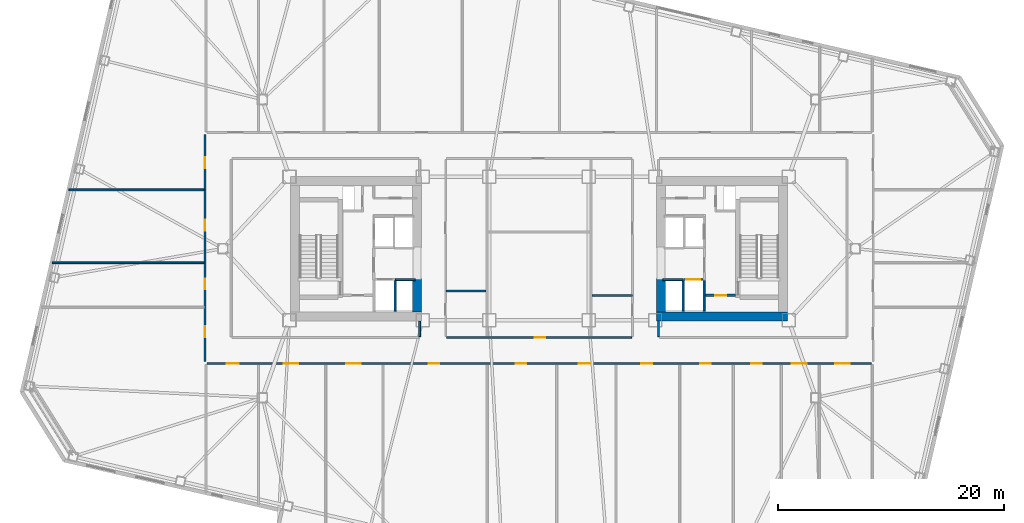
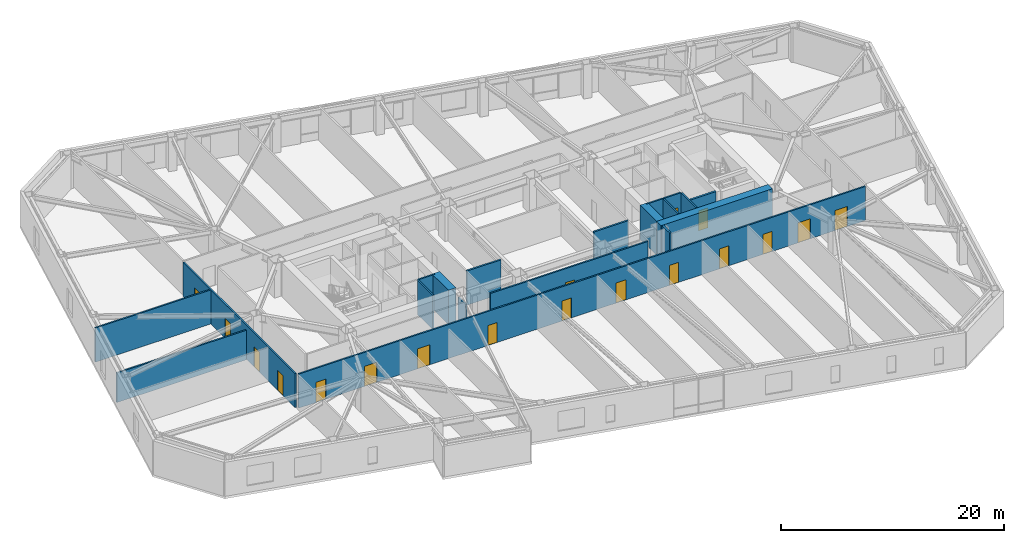
# One storey, part 9 of 18: 19 walls, 18 doors, 18 openings.
"""IFC4 building model written with IfcOpenShell, lengths in metres."""

from ifc_helpers import new_model, si_unit, direction, frame, frame_2d, origin, place, context, subcontext, project, spatial, rectangle, extrude, material, layer, layer_set, type_object, element, fill, save


model = new_model("IFC4")

# Units and contexts
model_context = context("Model", 3, precision=1e-05, world=origin(), true_north=direction((0.0, 1.0)))
body_context = subcontext(model_context, "Body", "Model", "MODEL_VIEW")
ifc_project = project(units=[si_unit("LENGTHUNIT", "METRE"), si_unit("AREAUNIT", "SQUARE_METRE"), si_unit("VOLUMEUNIT", "CUBIC_METRE"), si_unit("PLANEANGLEUNIT", "RADIAN"), si_unit("MASSUNIT", "GRAM", prefix="KILO")], contexts=[model_context])

# Site, building, storey
site_placement = place(None, origin())
site = spatial("IfcSite", under=ifc_project, at=site_placement, CompositionType="ELEMENT")
building_placement = place(site_placement, origin())
building = spatial("IfcBuilding", under=site, at=building_placement, Name="Tavrogorsk Clinical Tower", CompositionType="ELEMENT")
storey_placement = place(building_placement, frame((0.0, 0.0, 51.39990234375)))
storey = spatial("IfcBuildingStorey", under=building, at=storey_placement, Name="L10", CompositionType="ELEMENT", Elevation=51.39990234375)

# Wall, opening, door
ifc_material_1 = material(Name="Concrete B60", Category="concrete")
ifc_layer_1 = layer(ifc_material_1, 0.199951171875)
ifc_layer_set_1 = layer_set([ifc_layer_1], Name="Concrete B60")
wall_type_1 = type_object("IfcWallType", Name="CoreFireWall_200", PredefinedType="SOLIDWALL", material=ifc_layer_set_1)
wall_1_placement = place(storey_placement, frame((14.719970703125, -4.139892578125, 0.0), z_axis=(0.0, 0.0, 1.0), x_axis=(1.0, 0.0, 0.0)))
wall_1 = element("IfcWall", 1, at=wall_1_placement, inside=storey, type_object=wall_type_1, Name="L10 Core East South Core Room Fire Wall", PredefinedType="SOLIDWALL", context=body_context, shape_type="SweptSolid", body=[
    extrude(rectangle(XDim=2.659912109375, YDim=0.199951171875, at=frame_2d((1.330078125, 0.0))), origin(), (0.0, 0.0, 1.0), 3.739990234375),
])
opening_1_placement = place(wall_1_placement, frame((0.8798828125, 0.0, 0.0)))
opening_1 = element("IfcOpeningElement", 2, at=opening_1_placement, cuts=wall_1, Name="Opening ID-02", PredefinedType="OPENING", context=body_context, shape_type="SweptSolid", body=[
    extrude(rectangle(XDim=0.949951171875, YDim=2.199951171875, at=frame_2d((0.47509765625, 1.10009765625))), frame((0.0, 0.10986328125, 0.0), z_axis=(0.0, -1.0, 0.0), x_axis=(1.0, 0.0, 0.0)), (0.0, 0.0, 1.0), 0.219970703125),
])
ifc_material_2 = material(Name="Laminated timber leaf on aluminium frame", Category="wood")
door_type_1 = type_object("IfcDoorType", Name="InteriorDoor_ID02_950", OperationType="NOTDEFINED", PredefinedType="DOOR", material=ifc_material_2)
door_1_placement = place(opening_1_placement, origin())
door_1 = element("IfcDoor", 3, at=door_1_placement, inside=storey, type_object=door_type_1, Name="L10 Core East South Core Room Door", OperationType="SINGLE_SWING_RIGHT", OverallHeight=2.199951171875, OverallWidth=0.949951171875, PredefinedType="DOOR", context=body_context, shape_type="SweptSolid", body=[
    extrude(rectangle(XDim=0.949951171875, YDim=2.199951171875, at=frame_2d((0.47509765625, 1.10009765625))), frame((0.0, 0.02490234375, 0.0), z_axis=(0.0, -1.0, 0.0), x_axis=(1.0, 0.0, 0.0)), (0.0, 0.0, 1.0), 0.050048828125),
])
fill(opening_1, door_1)

# Wall, openings, doors
ifc_material_3 = material(Name="Lightweight concrete blockwork B15", Category="masonry")
ifc_layer_2 = layer(ifc_material_3, 0.159912109375)
ifc_layer_set_2 = layer_set([ifc_layer_2], Name="Lightweight concrete blockwork B15")
wall_type_2 = type_object("IfcWallType", Name="PartitionWall_160", PredefinedType="PARTITIONING", material=ifc_layer_set_2)
wall_2_placement = place(storey_placement, frame((-29.580078125, -10.014892578125, 0.0), z_axis=(0.0, 0.0, 1.0), x_axis=(0.0, 1.0, 0.0)))
wall_2 = element("IfcWall", 4, at=wall_2_placement, inside=storey, type_object=wall_type_2, Name="L10 Corridor Partition 01", PredefinedType="PARTITIONING", context=body_context, shape_type="SweptSolid", body=[
    extrude(rectangle(XDim=20.1298828125, YDim=0.159912109375, at=frame_2d((10.06494140625, 0.0))), origin(), (0.0, 0.0, 1.0), 3.739990234375),
])
opening_2_placement = place(wall_2_placement, frame((2.169189453125, 0.0, 0.0)))
opening_2 = element("IfcOpeningElement", 5, at=opening_2_placement, cuts=wall_2, Name="Opening ID-02", PredefinedType="OPENING", context=body_context, shape_type="SweptSolid", body=[
    extrude(rectangle(XDim=0.949951171875, YDim=2.199951171875, at=frame_2d((0.47509765625, 1.10009765625))), frame((0.0, 0.08984375, 0.0), z_axis=(0.0, -1.0, 0.0), x_axis=(1.0, 0.0, 0.0)), (0.0, 0.0, 1.0), 0.179931640625),
])
opening_3_placement = place(wall_2_placement, frame((6.39990234375, 0.0, 0.0)))
opening_3 = element("IfcOpeningElement", 6, at=opening_3_placement, cuts=wall_2, Name="Opening ID-02", PredefinedType="OPENING", context=body_context, shape_type="SweptSolid", body=[
    extrude(rectangle(XDim=0.949951171875, YDim=2.199951171875, at=frame_2d((0.47509765625, 1.10009765625))), frame((0.0, 0.08984375, 0.0), z_axis=(0.0, -1.0, 0.0), x_axis=(1.0, 0.0, 0.0)), (0.0, 0.0, 1.0), 0.179931640625),
])
opening_4_placement = place(wall_2_placement, frame((11.60009765625, 0.0, 0.0)))
opening_4 = element("IfcOpeningElement", 7, at=opening_4_placement, cuts=wall_2, Name="Opening ID-02", PredefinedType="OPENING", context=body_context, shape_type="SweptSolid", body=[
    extrude(rectangle(XDim=0.949951171875, YDim=2.199951171875, at=frame_2d((0.47509765625, 1.10009765625))), frame((0.0, 0.08984375, 0.0), z_axis=(0.0, -1.0, 0.0), x_axis=(1.0, 0.0, 0.0)), (0.0, 0.0, 1.0), 0.179931640625),
])
opening_5_placement = place(wall_2_placement, frame((17.130859375, 0.0, 0.0)))
opening_5 = element("IfcOpeningElement", 8, at=opening_5_placement, cuts=wall_2, Name="Opening ID-02", PredefinedType="OPENING", context=body_context, shape_type="SweptSolid", body=[
    extrude(rectangle(XDim=0.949951171875, YDim=2.199951171875, at=frame_2d((0.47509765625, 1.10009765625))), frame((0.0, 0.08984375, 0.0), z_axis=(0.0, -1.0, 0.0), x_axis=(1.0, 0.0, 0.0)), (0.0, 0.0, 1.0), 0.179931640625),
])
door_2_placement = place(opening_2_placement, origin())
door_2 = element("IfcDoor", 9, at=door_2_placement, inside=storey, type_object=door_type_1, Name="L10 W Solarium Day Room & Lounge 1 Door", OperationType="SINGLE_SWING_LEFT", OverallHeight=2.199951171875, OverallWidth=0.949951171875, PredefinedType="DOOR", context=body_context, shape_type="SweptSolid", body=[
    extrude(rectangle(XDim=0.949951171875, YDim=2.199951171875, at=frame_2d((0.47509765625, 1.10009765625))), frame((0.0, 0.02490234375, 0.0), z_axis=(0.0, -1.0, 0.0), x_axis=(1.0, 0.0, 0.0)), (0.0, 0.0, 1.0), 0.050048828125),
])
fill(opening_2, door_2)
door_3_placement = place(opening_3_placement, origin())
door_3 = element("IfcDoor", 10, at=door_3_placement, inside=storey, type_object=door_type_1, Name="L10 W Rehabilitation Therapy Suite 2 Door", OperationType="SINGLE_SWING_RIGHT", OverallHeight=2.199951171875, OverallWidth=0.949951171875, PredefinedType="DOOR", context=body_context, shape_type="SweptSolid", body=[
    extrude(rectangle(XDim=0.949951171875, YDim=2.199951171875, at=frame_2d((0.47509765625, 1.10009765625))), frame((0.0, 0.02490234375, 0.0), z_axis=(0.0, -1.0, 0.0), x_axis=(1.0, 0.0, 0.0)), (0.0, 0.0, 1.0), 0.050048828125),
])
fill(opening_3, door_3)
door_4_placement = place(opening_4_placement, origin())
door_4 = element("IfcDoor", 11, at=door_4_placement, inside=storey, type_object=door_type_1, Name="L10 W Sub-Acute Observation Suite 3 Door", OperationType="SINGLE_SWING_LEFT", OverallHeight=2.199951171875, OverallWidth=0.949951171875, PredefinedType="DOOR", context=body_context, shape_type="SweptSolid", body=[
    extrude(rectangle(XDim=0.949951171875, YDim=2.199951171875, at=frame_2d((0.47509765625, 1.10009765625))), frame((0.0, 0.02490234375, 0.0), z_axis=(0.0, -1.0, 0.0), x_axis=(1.0, 0.0, 0.0)), (0.0, 0.0, 1.0), 0.050048828125),
])
fill(opening_4, door_4)
door_5_placement = place(opening_5_placement, origin())
door_5 = element("IfcDoor", 12, at=door_5_placement, inside=storey, type_object=door_type_1, Name="L10 W Family Consultation Lounge 4 Door", OperationType="SINGLE_SWING_RIGHT", OverallHeight=2.199951171875, OverallWidth=0.949951171875, PredefinedType="DOOR", context=body_context, shape_type="SweptSolid", body=[
    extrude(rectangle(XDim=0.949951171875, YDim=2.199951171875, at=frame_2d((0.47509765625, 1.10009765625))), frame((0.0, 0.02490234375, 0.0), z_axis=(0.0, -1.0, 0.0), x_axis=(1.0, 0.0, 0.0)), (0.0, 0.0, 1.0), 0.050048828125),
])
fill(opening_5, door_5)

wall_3_placement = place(storey_placement, frame((29.4150390625, -10.179931640625, 0.0), z_axis=(0.0, 0.0, 1.0), x_axis=(-1.0, 0.0, 0.0)))
wall_3 = element("IfcWall", 13, at=wall_3_placement, inside=storey, type_object=wall_type_2, Name="L10 Corridor Partition 04", PredefinedType="PARTITIONING", context=body_context, shape_type="SweptSolid", body=[
    extrude(rectangle(XDim=58.830078125, YDim=0.159912109375, at=frame_2d((29.4150390625, 0.0))), origin(), (0.0, 0.0, 1.0), 3.739990234375),
])
opening_6_placement = place(wall_3_placement, frame((56.005859375, 0.0, 0.0)))
opening_6 = element("IfcOpeningElement", 14, at=opening_6_placement, cuts=wall_3, Name="Opening ID-04", PredefinedType="OPENING", context=body_context, shape_type="SweptSolid", body=[
    extrude(rectangle(XDim=1.050048828125, YDim=2.199951171875, at=frame_2d((0.52490234375, 1.10009765625))), frame((0.0, 0.08984375, 0.0), z_axis=(0.0, -1.0, 0.0), x_axis=(1.0, 0.0, 0.0)), (0.0, 0.0, 1.0), 0.179931640625),
])
opening_7_placement = place(wall_3_placement, frame((50.719482421875, 0.0, 0.0)))
opening_7 = element("IfcOpeningElement", 15, at=opening_7_placement, cuts=wall_3, Name="Opening ID-01", PredefinedType="OPENING", context=body_context, shape_type="SweptSolid", body=[
    extrude(rectangle(XDim=1.300048828125, YDim=2.199951171875, at=frame_2d((0.64990234375, 1.10009765625))), frame((0.0, 0.08984375, 0.0), z_axis=(0.0, -1.0, 0.0), x_axis=(1.0, 0.0, 0.0)), (0.0, 0.0, 1.0), 0.179931640625),
])
opening_8_placement = place(wall_3_placement, frame((45.2080078125, 0.0, 0.0)))
opening_8 = element("IfcOpeningElement", 16, at=opening_8_placement, cuts=wall_3, Name="Opening ID-01", PredefinedType="OPENING", context=body_context, shape_type="SweptSolid", body=[
    extrude(rectangle(XDim=1.300048828125, YDim=2.199951171875, at=frame_2d((0.64990234375, 1.10009765625))), frame((0.0, 0.08984375, 0.0), z_axis=(0.0, -1.0, 0.0), x_axis=(1.0, 0.0, 0.0)), (0.0, 0.0, 1.0), 0.179931640625),
])
opening_9_placement = place(wall_3_placement, frame((38.238525390625, 0.0, 0.0)))
opening_9 = element("IfcOpeningElement", 17, at=opening_9_placement, cuts=wall_3, Name="Opening ID-02", PredefinedType="OPENING", context=body_context, shape_type="SweptSolid", body=[
    extrude(rectangle(XDim=0.949951171875, YDim=2.199951171875, at=frame_2d((0.47509765625, 1.10009765625))), frame((0.0, 0.08984375, 0.0), z_axis=(0.0, -1.0, 0.0), x_axis=(1.0, 0.0, 0.0)), (0.0, 0.0, 1.0), 0.179931640625),
])
opening_10_placement = place(wall_3_placement, frame((30.550048828125, 0.0, 0.0)))
opening_10 = element("IfcOpeningElement", 18, at=opening_10_placement, cuts=wall_3, Name="Opening ID-02", PredefinedType="OPENING", context=body_context, shape_type="SweptSolid", body=[
    extrude(rectangle(XDim=0.949951171875, YDim=2.199951171875, at=frame_2d((0.47509765625, 1.10009765625))), frame((0.0, 0.08984375, 0.0), z_axis=(0.0, -1.0, 0.0), x_axis=(1.0, 0.0, 0.0)), (0.0, 0.0, 1.0), 0.179931640625),
])
opening_11_placement = place(wall_3_placement, frame((24.85009765625, 0.0, 0.0)))
opening_11 = element("IfcOpeningElement", 19, at=opening_11_placement, cuts=wall_3, Name="Opening ID-04", PredefinedType="OPENING", context=body_context, shape_type="SweptSolid", body=[
    extrude(rectangle(XDim=1.050048828125, YDim=2.199951171875, at=frame_2d((0.52490234375, 1.10009765625))), frame((0.0, 0.08984375, 0.0), z_axis=(0.0, -1.0, 0.0), x_axis=(1.0, 0.0, 0.0)), (0.0, 0.0, 1.0), 0.179931640625),
])
opening_12_placement = place(wall_3_placement, frame((19.39990234375, 0.0, 0.0)))
opening_12 = element("IfcOpeningElement", 20, at=opening_12_placement, cuts=wall_3, Name="Opening ID-02", PredefinedType="OPENING", context=body_context, shape_type="SweptSolid", body=[
    extrude(rectangle(XDim=0.949951171875, YDim=2.199951171875, at=frame_2d((0.47509765625, 1.10009765625))), frame((0.0, 0.08984375, 0.0), z_axis=(0.0, -1.0, 0.0), x_axis=(1.0, 0.0, 0.0)), (0.0, 0.0, 1.0), 0.179931640625),
])
opening_13_placement = place(wall_3_placement, frame((14.199951171875, 0.0, 0.0)))
opening_13 = element("IfcOpeningElement", 21, at=opening_13_placement, cuts=wall_3, Name="Opening ID-02", PredefinedType="OPENING", context=body_context, shape_type="SweptSolid", body=[
    extrude(rectangle(XDim=0.949951171875, YDim=2.199951171875, at=frame_2d((0.47509765625, 1.10009765625))), frame((0.0, 0.08984375, 0.0), z_axis=(0.0, -1.0, 0.0), x_axis=(1.0, 0.0, 0.0)), (0.0, 0.0, 1.0), 0.179931640625),
])
opening_14_placement = place(wall_3_placement, frame((9.699951171875, 0.0, 0.0)))
opening_14 = element("IfcOpeningElement", 22, at=opening_14_placement, cuts=wall_3, Name="Opening ID-02", PredefinedType="OPENING", context=body_context, shape_type="SweptSolid", body=[
    extrude(rectangle(XDim=0.949951171875, YDim=2.199951171875, at=frame_2d((0.47509765625, 1.10009765625))), frame((0.0, 0.08984375, 0.0), z_axis=(0.0, -1.0, 0.0), x_axis=(1.0, 0.0, 0.0)), (0.0, 0.0, 1.0), 0.179931640625),
])
opening_15_placement = place(wall_3_placement, frame((5.72509765625, 0.0, 0.0)))
opening_15 = element("IfcOpeningElement", 23, at=opening_15_placement, cuts=wall_3, Name="Opening ID-01", PredefinedType="OPENING", context=body_context, shape_type="SweptSolid", body=[
    extrude(rectangle(XDim=1.300048828125, YDim=2.199951171875, at=frame_2d((0.64990234375, 1.10009765625))), frame((0.0, 0.08984375, 0.0), z_axis=(0.0, -1.0, 0.0), x_axis=(1.0, 0.0, 0.0)), (0.0, 0.0, 1.0), 0.179931640625),
])
opening_16_placement = place(wall_3_placement, frame((1.89404296875, 0.0, 0.0)))
opening_16 = element("IfcOpeningElement", 24, at=opening_16_placement, cuts=wall_3, Name="Opening ID-01", PredefinedType="OPENING", context=body_context, shape_type="SweptSolid", body=[
    extrude(rectangle(XDim=1.300048828125, YDim=2.199951171875, at=frame_2d((0.64990234375, 1.10009765625))), frame((0.0, 0.08984375, 0.0), z_axis=(0.0, -1.0, 0.0), x_axis=(1.0, 0.0, 0.0)), (0.0, 0.0, 1.0), 0.179931640625),
])
ifc_material_4 = material(Name="Antibacterial HPL consultation door on aluminium frame", Category="aluminium")
door_type_2 = type_object("IfcDoorType", Name="ConsultDoor_ID04_1050", OperationType="NOTDEFINED", PredefinedType="DOOR", material=ifc_material_4)
door_6_placement = place(opening_6_placement, origin())
door_6 = element("IfcDoor", 25, at=door_6_placement, inside=storey, type_object=door_type_2, Name="L10 South Attending Physician Office 01 Door", OperationType="SINGLE_SWING_RIGHT", OverallHeight=2.199951171875, OverallWidth=1.050048828125, PredefinedType="DOOR", context=body_context, shape_type="SweptSolid", body=[
    extrude(rectangle(XDim=1.050048828125, YDim=2.199951171875, at=frame_2d((0.52490234375, 1.10009765625))), frame((0.0, 0.02490234375, 0.0), z_axis=(0.0, -1.0, 0.0), x_axis=(1.0, 0.0, 0.0)), (0.0, 0.0, 1.0), 0.050048828125),
])
fill(opening_6, door_6)
door_7_placement = place(opening_11_placement, origin())
door_7 = element("IfcDoor", 26, at=door_7_placement, inside=storey, type_object=door_type_2, Name="L10 South Clinical Case Seminar Room 04B Door", OperationType="SINGLE_SWING_LEFT", OverallHeight=2.199951171875, OverallWidth=1.050048828125, PredefinedType="DOOR", context=body_context, shape_type="SweptSolid", body=[
    extrude(rectangle(XDim=1.050048828125, YDim=2.199951171875, at=frame_2d((0.52490234375, 1.10009765625))), frame((0.0, 0.02490234375, 0.0), z_axis=(0.0, -1.0, 0.0), x_axis=(1.0, 0.0, 0.0)), (0.0, 0.0, 1.0), 0.050048828125),
])
fill(opening_11, door_7)
door_8_placement = place(opening_9_placement, origin())
door_8 = element("IfcDoor", 27, at=door_8_placement, inside=storey, type_object=door_type_1, Name="L10 South Clean Medication & Prep Room 03 Door", OperationType="SINGLE_SWING_LEFT", OverallHeight=2.199951171875, OverallWidth=0.949951171875, PredefinedType="DOOR", context=body_context, shape_type="SweptSolid", body=[
    extrude(rectangle(XDim=0.949951171875, YDim=2.199951171875, at=frame_2d((0.47509765625, 1.10009765625))), frame((0.0, 0.02490234375, 0.0), z_axis=(0.0, -1.0, 0.0), x_axis=(1.0, 0.0, 0.0)), (0.0, 0.0, 1.0), 0.050048828125),
])
fill(opening_9, door_8)
door_9_placement = place(opening_10_placement, origin())
door_9 = element("IfcDoor", 28, at=door_9_placement, inside=storey, type_object=door_type_1, Name="L10 South Outpatient Procedure Suite 04A Door", OperationType="SINGLE_SWING_RIGHT", OverallHeight=2.199951171875, OverallWidth=0.949951171875, PredefinedType="DOOR", context=body_context, shape_type="SweptSolid", body=[
    extrude(rectangle(XDim=0.949951171875, YDim=2.199951171875, at=frame_2d((0.47509765625, 1.10009765625))), frame((0.0, 0.02490234375, 0.0), z_axis=(0.0, -1.0, 0.0), x_axis=(1.0, 0.0, 0.0)), (0.0, 0.0, 1.0), 0.050048828125),
])
fill(opening_10, door_9)
door_10_placement = place(opening_12_placement, origin())
door_10 = element("IfcDoor", 29, at=door_10_placement, inside=storey, type_object=door_type_1, Name="L10 South Cardiology Diagnostics Room 05A Door", OperationType="SINGLE_SWING_RIGHT", OverallHeight=2.199951171875, OverallWidth=0.949951171875, PredefinedType="DOOR", context=body_context, shape_type="SweptSolid", body=[
    extrude(rectangle(XDim=0.949951171875, YDim=2.199951171875, at=frame_2d((0.47509765625, 1.10009765625))), frame((0.0, 0.02490234375, 0.0), z_axis=(0.0, -1.0, 0.0), x_axis=(1.0, 0.0, 0.0)), (0.0, 0.0, 1.0), 0.050048828125),
])
fill(opening_12, door_10)
door_11_placement = place(opening_13_placement, origin())
door_11 = element("IfcDoor", 30, at=door_11_placement, inside=storey, type_object=door_type_1, Name="L10 South Staff Rest & Nourishment Lounge 05B Door", OperationType="SINGLE_SWING_LEFT", OverallHeight=2.199951171875, OverallWidth=0.949951171875, PredefinedType="DOOR", context=body_context, shape_type="SweptSolid", body=[
    extrude(rectangle(XDim=0.949951171875, YDim=2.199951171875, at=frame_2d((0.47509765625, 1.10009765625))), frame((0.0, 0.02490234375, 0.0), z_axis=(0.0, -1.0, 0.0), x_axis=(1.0, 0.0, 0.0)), (0.0, 0.0, 1.0), 0.050048828125),
])
fill(opening_13, door_11)
door_12_placement = place(opening_14_placement, origin())
door_12 = element("IfcDoor", 31, at=door_12_placement, inside=storey, type_object=door_type_1, Name="L10 South Attending Physician Office 06A Door", OperationType="SINGLE_SWING_RIGHT", OverallHeight=2.199951171875, OverallWidth=0.949951171875, PredefinedType="DOOR", context=body_context, shape_type="SweptSolid", body=[
    extrude(rectangle(XDim=0.949951171875, YDim=2.199951171875, at=frame_2d((0.47509765625, 1.10009765625))), frame((0.0, 0.02490234375, 0.0), z_axis=(0.0, -1.0, 0.0), x_axis=(1.0, 0.0, 0.0)), (0.0, 0.0, 1.0), 0.050048828125),
])
fill(opening_14, door_12)
ifc_material_5 = material(Name="Antibacterial HPL medical leaf on aluminium frame", Category="aluminium")
door_type_3 = type_object("IfcDoorType", Name="WardBedDoor_ID01_1300", OperationType="NOTDEFINED", PredefinedType="DOOR", material=ifc_material_5)
door_13_placement = place(opening_7_placement, origin())
door_13 = element("IfcDoor", 32, at=door_13_placement, inside=storey, type_object=door_type_3, Name="L10 South Acute Medical Ward 02A Door", OperationType="SINGLE_SWING_LEFT", OverallHeight=2.199951171875, OverallWidth=1.300048828125, PredefinedType="DOOR", context=body_context, shape_type="SweptSolid", body=[
    extrude(rectangle(XDim=1.300048828125, YDim=2.199951171875, at=frame_2d((0.64990234375, 1.10009765625))), frame((0.0, 0.02490234375, 0.0), z_axis=(0.0, -1.0, 0.0), x_axis=(1.0, 0.0, 0.0)), (0.0, 0.0, 1.0), 0.050048828125),
])
fill(opening_7, door_13)
door_14_placement = place(opening_8_placement, origin())
door_14 = element("IfcDoor", 33, at=door_14_placement, inside=storey, type_object=door_type_3, Name="L10 South Surgical Step-Down Ward 02B Door", OperationType="SINGLE_SWING_RIGHT", OverallHeight=2.199951171875, OverallWidth=1.300048828125, PredefinedType="DOOR", context=body_context, shape_type="SweptSolid", body=[
    extrude(rectangle(XDim=1.300048828125, YDim=2.199951171875, at=frame_2d((0.64990234375, 1.10009765625))), frame((0.0, 0.02490234375, 0.0), z_axis=(0.0, -1.0, 0.0), x_axis=(1.0, 0.0, 0.0)), (0.0, 0.0, 1.0), 0.050048828125),
])
fill(opening_8, door_14)
door_15_placement = place(opening_15_placement, origin())
door_15 = element("IfcDoor", 34, at=door_15_placement, inside=storey, type_object=door_type_3, Name="L10 South Bariatric Observation Ward 06B Door", OperationType="SINGLE_SWING_LEFT", OverallHeight=2.199951171875, OverallWidth=1.300048828125, PredefinedType="DOOR", context=body_context, shape_type="SweptSolid", body=[
    extrude(rectangle(XDim=1.300048828125, YDim=2.199951171875, at=frame_2d((0.64990234375, 1.10009765625))), frame((0.0, 0.02490234375, 0.0), z_axis=(0.0, -1.0, 0.0), x_axis=(1.0, 0.0, 0.0)), (0.0, 0.0, 1.0), 0.050048828125),
])
fill(opening_15, door_15)
door_16_placement = place(opening_16_placement, origin())
door_16 = element("IfcDoor", 35, at=door_16_placement, inside=storey, type_object=door_type_3, Name="L10 South Acute Medical Ward 07 Door", OperationType="SINGLE_SWING_RIGHT", OverallHeight=2.199951171875, OverallWidth=1.300048828125, PredefinedType="DOOR", context=body_context, shape_type="SweptSolid", body=[
    extrude(rectangle(XDim=1.300048828125, YDim=2.199951171875, at=frame_2d((0.64990234375, 1.10009765625))), frame((0.0, 0.02490234375, 0.0), z_axis=(0.0, -1.0, 0.0), x_axis=(1.0, 0.0, 0.0)), (0.0, 0.0, 1.0), 0.050048828125),
])
fill(opening_16, door_16)

# Wall
wall_4_placement = place(storey_placement, frame((10.580078125, -6.419921875, 0.0), z_axis=(0.0, 0.0, 1.0), x_axis=(0.0, -1.0, 0.0)))
element("IfcWall", 36, at=wall_4_placement, inside=storey, type_object=wall_type_2, Name="L10 Corridor Partition 07", PredefinedType="PARTITIONING", context=body_context, shape_type="SweptSolid", body=[
    extrude(rectangle(XDim=1.364990234375, YDim=0.159912109375, at=frame_2d((0.6826171875, 0.0))), origin(), (0.0, 0.0, 1.0), 3.739990234375),
])

# Wall, opening, door
wall_5_placement = place(storey_placement, frame((-8.18505859375, -7.8701171875, 0.0), z_axis=(0.0, 0.0, 1.0), x_axis=(1.0, 0.0, 0.0)))
wall_5 = element("IfcWall", 37, at=wall_5_placement, inside=storey, type_object=wall_type_2, Name="L10 Corridor Partition 13", PredefinedType="PARTITIONING", context=body_context, shape_type="SweptSolid", body=[
    extrude(rectangle(XDim=16.3701171875, YDim=0.159912109375, at=frame_2d((8.18505859375, 0.0))), origin(), (0.0, 0.0, 1.0), 3.739990234375),
])
opening_17_placement = place(wall_5_placement, frame((7.794921875, 0.0, 0.0)))
opening_17 = element("IfcOpeningElement", 38, at=opening_17_placement, cuts=wall_5, Name="Opening ID-02", PredefinedType="OPENING", context=body_context, shape_type="SweptSolid", body=[
    extrude(rectangle(XDim=0.949951171875, YDim=2.199951171875, at=frame_2d((0.47509765625, 1.10009765625))), frame((0.0, 0.08984375, 0.0), z_axis=(0.0, -1.0, 0.0), x_axis=(1.0, 0.0, 0.0)), (0.0, 0.0, 1.0), 0.179931640625),
])
door_17_placement = place(opening_17_placement, origin())
door_17 = element("IfcDoor", 39, at=door_17_placement, inside=storey, type_object=door_type_1, Name="L10 Multidisciplinary Conference Room Door", OperationType="SINGLE_SWING_LEFT", OverallHeight=2.199951171875, OverallWidth=0.949951171875, PredefinedType="DOOR", context=body_context, shape_type="SweptSolid", body=[
    extrude(rectangle(XDim=0.949951171875, YDim=2.199951171875, at=frame_2d((0.47509765625, 1.10009765625))), frame((0.0, 0.02490234375, 0.0), z_axis=(0.0, -1.0, 0.0), x_axis=(1.0, 0.0, 0.0)), (0.0, 0.0, 1.0), 0.050048828125),
])
fill(opening_17, door_17)

# Walls
wall_6_placement = place(storey_placement, frame((-10.580078125, -7.784912109375, 0.0), z_axis=(0.0, 0.0, 1.0), x_axis=(0.0, 1.0, 0.0)))
element("IfcWall", 40, at=wall_6_placement, inside=storey, type_object=wall_type_2, Name="L10 Corridor Partition 14", PredefinedType="PARTITIONING", context=body_context, shape_type="SweptSolid", body=[
    extrude(rectangle(XDim=1.364990234375, YDim=0.159912109375, at=frame_2d((0.6826171875, 0.0))), origin(), (0.0, 0.0, 1.0), 3.28515625),
])
wall_7_placement = place(storey_placement, frame((-43.130126953125, -1.25, 0.0), z_axis=(0.0, 0.0, 1.0), x_axis=(1.0, 0.0, 0.0)))
element("IfcWall", 41, at=wall_7_placement, inside=storey, type_object=wall_type_2, Name="L10 W Wing Divider 2", PredefinedType="PARTITIONING", context=body_context, shape_type="SweptSolid", body=[
    extrude(rectangle(XDim=13.465087890625, YDim=0.159912109375, at=frame_2d((6.732421875, 0.0))), origin(), (0.0, 0.0, 1.0), 3.235107421875),
])
wall_8_placement = place(storey_placement, frame((-41.64111328125, 5.199951171875, 0.0), z_axis=(0.0, 0.0, 1.0), x_axis=(1.0, 0.0, 0.0)))
element("IfcWall", 42, at=wall_8_placement, inside=storey, type_object=wall_type_2, Name="L10 W Wing Divider 3", PredefinedType="PARTITIONING", context=body_context, shape_type="SweptSolid", body=[
    extrude(rectangle(XDim=11.97607421875, YDim=0.159912109375, at=frame_2d((5.988037109375, 0.0))), origin(), (0.0, 0.0, 1.0), 3.739990234375),
])
ifc_material_6 = material(Name="Lightweight concrete blockwork B20", Category="masonry")
ifc_layer_3 = layer(ifc_material_6, 0.179931640625)
ifc_layer_set_3 = layer_set([ifc_layer_3], Name="Lightweight concrete blockwork B20")
wall_type_3 = type_object("IfcWallType", Name="PartitionWall_180", PredefinedType="PARTITIONING", material=ifc_layer_set_3)
for number, where, z_axis, x_axis, name in (
    (43, (-8.264892578125, -3.75, 0.0), (0.0, 0.0, 1.0), (1.0, 0.0, 0.0), "L10 Central Spine Partition 4"),
    (44, (4.695068359375, -4.14990234375, 0.0), (0.0, 0.0, 1.0), (1.0, 0.0, 0.0), "L10 Central Spine Partition 5"),
):
    element("IfcWall", number, at=place(storey_placement, frame(where, z_axis=z_axis, x_axis=x_axis)), inside=storey, type_object=wall_type_3, Name=name, PredefinedType="PARTITIONING", context=body_context, shape_type="SweptSolid", body=[
        extrude(rectangle(XDim=3.56982421875, YDim=0.179931640625, at=frame_2d((1.784912109375, 0.0))), origin(), (0.0, 0.0, 1.0), 3.739990234375),
    ])
ifc_material_7 = material(Name="Lightweight concrete blockwork B25", Category="masonry")
ifc_layer_4 = layer(ifc_material_7, 0.159912109375)
ifc_layer_set_4 = layer_set([ifc_layer_4], Name="Lightweight concrete blockwork B25")
wall_type_4 = type_object("IfcWallType", Name="ShaftWall_160", PredefinedType="PARTITIONING", material=ifc_layer_set_4)
wall_9_placement = place(storey_placement, frame((-12.75, -5.5400390625, 0.0), z_axis=(0.0, 0.0, 1.0), x_axis=(0.0, 1.0, 0.0)))
element("IfcWall", 45, at=wall_9_placement, inside=storey, type_object=wall_type_4, Name="L10 LP-L1 Lift Hoistway Divider Wall", PredefinedType="PARTITIONING", context=body_context, shape_type="SweptSolid", body=[
    extrude(rectangle(XDim=2.699951171875, YDim=0.159912109375, at=frame_2d((1.35009765625, 0.0))), origin(), (0.0, 0.0, 1.0), 3.739990234375),
])
wall_10_placement = place(storey_placement, frame((-12.72998046875, -2.75, 0.0), z_axis=(0.0, 0.0, 1.0), x_axis=(1.0, 0.0, 0.0)))
element("IfcWall", 46, at=wall_10_placement, inside=storey, type_object=wall_type_4, Name="L10 LP-M1 Lift Shaft Portal Wall", PredefinedType="PARTITIONING", context=body_context, shape_type="SweptSolid", body=[
    extrude(rectangle(XDim=1.760009765625, YDim=0.159912109375, at=frame_2d((0.8798828125, 0.0))), origin(), (0.0, 0.0, 1.0), 3.739990234375),
])

# Wall, opening, door
wall_11_placement = place(storey_placement, frame((12.77001953125, -2.75, 0.0), z_axis=(0.0, 0.0, 1.0), x_axis=(1.0, 0.0, 0.0)))
wall_11 = element("IfcWall", 47, at=wall_11_placement, inside=storey, type_object=wall_type_4, Name="L10 LP-L2 Lift Shaft Portal Wall", PredefinedType="PARTITIONING", context=body_context, shape_type="SweptSolid", body=[
    extrude(rectangle(XDim=1.760009765625, YDim=0.159912109375, at=frame_2d((0.8798828125, 0.0))), origin(), (0.0, 0.0, 1.0), 3.739990234375),
])
opening_18_placement = place(wall_11_placement, frame((0.280029296875, 0.0, 0.0)))
opening_18 = element("IfcOpeningElement", 48, at=opening_18_placement, cuts=wall_11, Name="Opening LD", PredefinedType="OPENING", context=body_context, shape_type="SweptSolid", body=[
    extrude(rectangle(XDim=1.199951171875, YDim=2.199951171875, at=frame_2d((0.60009765625, 1.10009765625))), frame((0.0, 0.08984375, 0.0), z_axis=(0.0, -1.0, 0.0), x_axis=(1.0, 0.0, 0.0)), (0.0, 0.0, 1.0), 0.179931640625),
])
ifc_material_8 = material(Name="Brushed stainless steel AISI 304 sliding doors", Category="steel")
door_type_4 = type_object("IfcDoorType", Name="LiftLandingDoor_LD_1200", OperationType="SLIDING_TO_LEFT", PredefinedType="DOOR", material=ifc_material_8)
door_18_placement = place(opening_18_placement, origin())
door_18 = element("IfcDoor", 49, at=door_18_placement, inside=storey, type_object=door_type_4, Name="L10 LP-L2 Sliding Lift Landing Door", OperationType="SLIDING_TO_LEFT", OverallHeight=2.199951171875, OverallWidth=1.199951171875, PredefinedType="DOOR", context=body_context, shape_type="SweptSolid", body=[
    extrude(rectangle(XDim=1.199951171875, YDim=2.199951171875, at=frame_2d((0.60009765625, 1.10009765625))), frame((0.0, 0.02490234375, 0.0), z_axis=(0.0, -1.0, 0.0), x_axis=(1.0, 0.0, 0.0)), (0.0, 0.0, 1.0), 0.050048828125),
])
fill(opening_18, door_18)

# Walls
for number, where, z_axis, x_axis, name in (
    (50, (12.75, -5.5400390625, 0.0), (0.0, 0.0, 1.0), (0.0, 1.0, 0.0), "L10 LP-L2 Lift Hoistway Divider Wall"),
    (51, (14.610107421875, -5.5400390625, 0.0), (0.0, 0.0, 1.0), (0.0, 1.0, 0.0), "L10 LP-L2 Lift Hoistway Outer Cheek Wall"),
):
    element("IfcWall", number, at=place(storey_placement, frame(where, z_axis=z_axis, x_axis=x_axis)), inside=storey, type_object=wall_type_4, Name=name, PredefinedType="PARTITIONING", context=body_context, shape_type="SweptSolid", body=[
        extrude(rectangle(XDim=2.699951171875, YDim=0.159912109375, at=frame_2d((1.35009765625, 0.0))), origin(), (0.0, 0.0, 1.0), 3.739990234375),
    ])
wall_12_placement = place(storey_placement, frame((10.969970703125, -2.75, 0.0), z_axis=(0.0, 0.0, 1.0), x_axis=(1.0, 0.0, 0.0)))
element("IfcWall", 52, at=wall_12_placement, inside=storey, type_object=wall_type_4, Name="L10 LP-M2 Lift Shaft Portal Wall", PredefinedType="PARTITIONING", context=body_context, shape_type="SweptSolid", body=[
    extrude(rectangle(XDim=1.760009765625, YDim=0.159912109375, at=frame_2d((0.8798828125, 0.0))), origin(), (0.0, 0.0, 1.0), 3.739990234375),
])
ifc_material_9 = material(Name="Concrete B80", Category="concrete")
ifc_layer_5 = layer(ifc_material_9, 0.800048828125)
ifc_layer_set_5 = layer_set([ifc_layer_5], Name="Concrete B80")
wall_type_5 = type_object("IfcWallType", Name="ShearWall_800", PredefinedType="SHEAR", material=ifc_layer_set_5)
wall_13_placement = place(storey_placement, frame((-10.800048828125, -5.60009765625, 0.0), z_axis=(0.0, 0.0, 1.0), x_axis=(0.0, 1.0, 0.0)))
element("IfcWall", 53, at=wall_13_placement, inside=storey, type_object=wall_type_5, Name="L10 Core West Inner South Pier", PredefinedType="SHEAR", context=body_context, shape_type="SweptSolid", body=[
    extrude(rectangle(XDim=2.9501953125, YDim=0.800048828125, at=frame_2d((1.47509765625, 0.0))), origin(), (0.0, 0.0, 1.0), 3.739990234375),
])
wall_14_placement = place(storey_placement, frame((10.39990234375, -6.0, 0.0), z_axis=(0.0, 0.0, 1.0), x_axis=(1.0, 0.0, 0.0)))
element("IfcWall", 54, at=wall_14_placement, inside=storey, type_object=wall_type_5, Name="L10 Core East South Shear Wall", PredefinedType="SHEAR", context=body_context, shape_type="SweptSolid", body=[
    extrude(rectangle(XDim=11.60009765625, YDim=0.800048828125, at=frame_2d((5.800048828125, 0.0))), origin(), (0.0, 0.0, 1.0), 3.739990234375),
])
wall_15_placement = place(storey_placement, frame((10.800048828125, -5.60009765625, 0.0), z_axis=(0.0, 0.0, 1.0), x_axis=(0.0, 1.0, 0.0)))
element("IfcWall", 55, at=wall_15_placement, inside=storey, type_object=wall_type_5, Name="L10 Core East Inner South Pier", PredefinedType="SHEAR", context=body_context, shape_type="SweptSolid", body=[
    extrude(rectangle(XDim=2.9501953125, YDim=0.800048828125, at=frame_2d((1.47509765625, 0.0))), origin(), (0.0, 0.0, 1.0), 3.739990234375),
])

save(model, "model.ifc")
